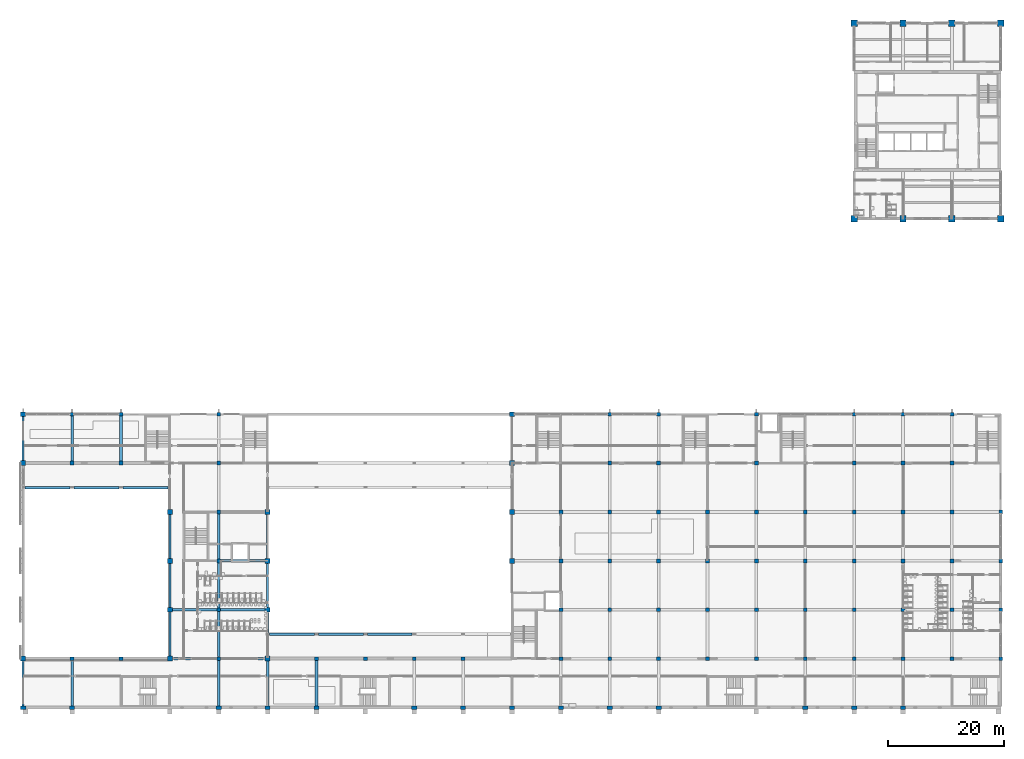
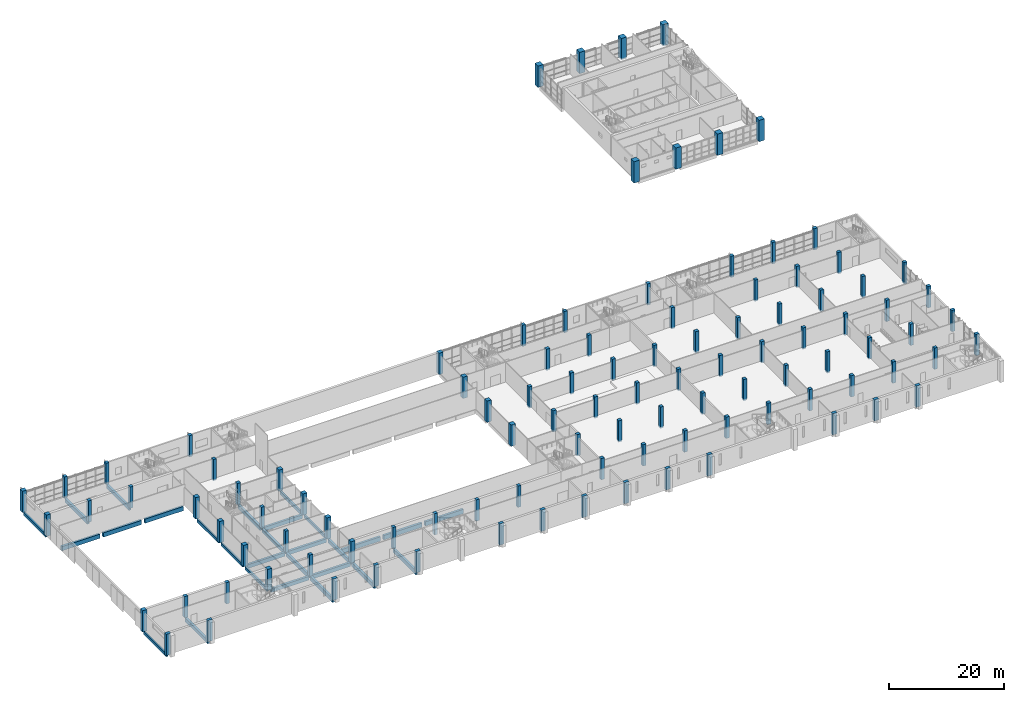
# One storey, part 1 of 64: 105 columns, 28 beams.
"""IFC4 building model written with IfcOpenShell, lengths in metres."""

from ifc_helpers import new_model, si_unit, direction, frame, origin, origin_2d, place, context, subcontext, project, spatial, rectangle, extrude, material, material_profile, profile_set, type_object, element, save


model = new_model("IFC4")

# Units and contexts
model_context = context("Model", 3, precision=1e-05, world=origin(), true_north=direction((0.0, 1.0)))
body_context = subcontext(model_context, "Body", "Model", "MODEL_VIEW")
ifc_project = project(units=[si_unit("LENGTHUNIT", "METRE"), si_unit("AREAUNIT", "SQUARE_METRE"), si_unit("VOLUMEUNIT", "CUBIC_METRE"), si_unit("PLANEANGLEUNIT", "RADIAN"), si_unit("MASSUNIT", "GRAM", prefix="KILO")], contexts=[model_context])

# Site, building, storey
site_placement = place(None, origin())
site = spatial("IfcSite", under=ifc_project, at=site_placement, CompositionType="ELEMENT")
building_placement = place(site_placement, origin())
building = spatial("IfcBuilding", under=site, at=building_placement, Name="Rulbaag Community and Learning Centre", CompositionType="ELEMENT")
storey_placement = place(building_placement, frame((0.0, 0.0, 5.39990234375)))
storey = spatial("IfcBuildingStorey", under=building, at=storey_placement, Name="L01", CompositionType="ELEMENT", Elevation=5.39990234375)

# Columns
ifc_material_1 = material(Name="Concrete M40", Category="concrete")
ifc_material_profile_1 = material_profile(ifc_material_1, rectangle(XDim=0.89990234375, YDim=0.60009765625, at=origin_2d()), Name="RC900x600")
ifc_profile_set_1 = profile_set([ifc_material_profile_1], Name="Concrete M40")
column_type_1 = type_object("IfcColumnType", Name="C1 Pilaster 900x600 Concrete M40", PredefinedType="PILASTER", material=ifc_profile_set_1)
for number, where, z_axis, x_axis, name in (
    (1, (0.0, 0.0, -0.2998046875), (0.0, 0.0, 1.0), (1.0, 0.0, 0.0), "COL-1A-L01"),
    (2, (8.39990234375, 0.0, -0.2998046875), (0.0, 0.0, 1.0), (1.0, 0.0, 0.0), "COL-2A-L01"),
    (3, (33.60009765625, 0.0, -0.2998046875), (0.0, 0.0, 1.0), (1.0, 0.0, 0.0), "COL-5A-L01"),
    (4, (42.0, 0.0, -0.2998046875), (0.0, 0.0, 1.0), (1.0, 0.0, 0.0), "COL-6A-L01"),
    (5, (50.39990234375, 0.0, -0.2998046875), (0.0, 0.0, 1.0), (1.0, 0.0, 0.0), "COL-7A-L01"),
    (6, (67.199951171875, 0.0, -0.2998046875), (0.0, 0.0, 1.0), (1.0, 0.0, 0.0), "COL-9A-L01"),
    (7, (75.60009765625, 0.0, -0.2998046875), (0.0, 0.0, 1.0), (1.0, 0.0, 0.0), "COL-10A-L01"),
    (8, (84.0, 0.0, -0.2998046875), (0.0, 0.0, 1.0), (1.0, 0.0, 0.0), "COL-11A-L01"),
    (9, (92.39990234375, 0.0, -0.2998046875), (0.0, 0.0, 1.0), (1.0, 0.0, 0.0), "COL-12A-L01"),
    (10, (100.800048828125, 0.0, -0.2998046875), (0.0, 0.0, 1.0), (1.0, 0.0, 0.0), "COL-13A-L01"),
    (11, (109.199951171875, 0.0, -0.2998046875), (0.0, 0.0, 1.0), (1.0, 0.0, 0.0), "COL-14A-L01"),
    (12, (134.39990234375, 0.0, -0.2998046875), (0.0, 0.0, 1.0), (1.0, 0.0, 0.0), "COL-17A-L01"),
    (13, (142.800048828125, 0.0, -0.2998046875), (0.0, 0.0, 1.0), (1.0, 0.0, 0.0), "COL-18A-L01"),
    (14, (151.199951171875, 0.0, -0.2998046875), (0.0, 0.0, 1.0), (1.0, 0.0, 0.0), "COL-19A-L01"),
):
    element("IfcColumn", number, at=place(storey_placement, frame(where, z_axis=z_axis, x_axis=x_axis)), inside=storey, type_object=column_type_1, Name=name, PredefinedType="PILASTER", context=body_context, shape_type="SweptSolid", body=[
        extrude(rectangle(XDim=0.89990234375, YDim=0.60009765625, at=origin_2d()), origin(), (0.0, 0.0, 1.0), 4.5498046875),
    ])
ifc_material_2 = material(Name="Concrete M60", Category="concrete")
ifc_material_profile_2 = material_profile(ifc_material_2, rectangle(XDim=0.85009765625, YDim=0.85009765625, at=origin_2d()), Name="RC850x850")
ifc_profile_set_2 = profile_set([ifc_material_profile_2], Name="Concrete M60")
column_type_2 = type_object("IfcColumnType", Name="C3 Column 850x850 Concrete M60", PredefinedType="COLUMN", material=ifc_profile_set_2)
for number, where, z_axis, x_axis, name in (
    (15, (0.0, 8.39990234375, -0.2998046875), (0.0, 0.0, 1.0), (1.0, 0.0, 0.0), "COL-1B-L01"),
    (16, (0.0, 42.0, -0.2998046875), (0.0, 0.0, 1.0), (1.0, 0.0, 0.0), "COL-1F-L01"),
    (17, (0.0, 50.39990234375, -0.2998046875), (0.0, 0.0, 1.0), (1.0, 0.0, 0.0), "COL-1G-L01"),
    (18, (25.199951171875, 8.39990234375, -0.2998046875), (0.0, 0.0, 1.0), (1.0, 0.0, 0.0), "COL-4B-L01"),
    (19, (25.199951171875, 16.800048828125, -0.2998046875), (0.0, 0.0, 1.0), (1.0, 0.0, 0.0), "COL-4C-L01"),
    (20, (25.199951171875, 25.199951171875, -0.2998046875), (0.0, 0.0, 1.0), (1.0, 0.0, 0.0), "COL-4D-L01"),
    (21, (25.199951171875, 33.60009765625, -0.2998046875), (0.0, 0.0, 1.0), (1.0, 0.0, 0.0), "COL-4E-L01"),
    (22, (42.0, 8.39990234375, -0.2998046875), (0.0, 0.0, 1.0), (1.0, 0.0, 0.0), "COL-6B-L01"),
    (23, (42.0, 16.800048828125, -0.2998046875), (0.0, 0.0, 1.0), (1.0, 0.0, 0.0), "COL-6C-L01"),
    (24, (42.0, 25.199951171875, -0.2998046875), (0.0, 0.0, 1.0), (1.0, 0.0, 0.0), "COL-6D-L01"),
    (25, (42.0, 33.60009765625, -0.2998046875), (0.0, 0.0, 1.0), (1.0, 0.0, 0.0), "COL-6E-L01"),
    (26, (84.0, 25.199951171875, -0.2998046875), (0.0, 0.0, 1.0), (1.0, 0.0, 0.0), "COL-11D-L01"),
    (27, (84.0, 33.60009765625, -0.2998046875), (0.0, 0.0, 1.0), (1.0, 0.0, 0.0), "COL-11E-L01"),
    (28, (84.0, 42.0, -0.2998046875), (0.0, 0.0, 1.0), (1.0, 0.0, 0.0), "COL-11F-L01"),
    (29, (84.0, 50.39990234375, -0.2998046875), (0.0, 0.0, 1.0), (1.0, 0.0, 0.0), "COL-11G-L01"),
):
    element("IfcColumn", number, at=place(storey_placement, frame(where, z_axis=z_axis, x_axis=x_axis)), inside=storey, type_object=column_type_2, Name=name, PredefinedType="COLUMN", context=body_context, shape_type="SweptSolid", body=[
        extrude(rectangle(XDim=0.85009765625, YDim=0.85009765625, at=origin_2d()), origin(), (0.0, 0.0, 1.0), 4.5498046875),
    ])
ifc_material_profile_3 = material_profile(ifc_material_1, rectangle(XDim=0.64990234375, YDim=0.64990234375, at=origin_2d()), Name="RC650x650")
ifc_profile_set_3 = profile_set([ifc_material_profile_3], Name="Concrete M40")
column_type_3 = type_object("IfcColumnType", Name="C6 Column 650x650 Concrete M40", PredefinedType="COLUMN", material=ifc_profile_set_3)
for number, where, z_axis, x_axis, name in (
    (30, (8.39990234375, 8.39990234375, -0.2998046875), (0.0, 0.0, 1.0), (1.0, 0.0, 0.0), "COL-2B-L01"),
    (31, (8.39990234375, 42.0, -0.2998046875), (0.0, 0.0, 1.0), (1.0, 0.0, 0.0), "COL-2F-L01"),
    (32, (8.39990234375, 50.39990234375, -0.2998046875), (0.0, 0.0, 1.0), (1.0, 0.0, 0.0), "COL-2G-L01"),
    (33, (16.800048828125, 8.39990234375, -0.2998046875), (0.0, 0.0, 1.0), (1.0, 0.0, 0.0), "COL-3B-L01"),
    (34, (16.800048828125, 42.0, -0.2998046875), (0.0, 0.0, 1.0), (1.0, 0.0, 0.0), "COL-3F-L01"),
    (35, (16.800048828125, 50.39990234375, -0.2998046875), (0.0, 0.0, 1.0), (1.0, 0.0, 0.0), "COL-3G-L01"),
    (36, (33.60009765625, 8.39990234375, -0.2998046875), (0.0, 0.0, 1.0), (1.0, 0.0, 0.0), "COL-5B-L01"),
    (37, (33.60009765625, 16.800048828125, -0.2998046875), (0.0, 0.0, 1.0), (1.0, 0.0, 0.0), "COL-5C-L01"),
    (38, (33.60009765625, 25.199951171875, -0.2998046875), (0.0, 0.0, 1.0), (1.0, 0.0, 0.0), "COL-5D-L01"),
    (39, (33.60009765625, 33.60009765625, -0.2998046875), (0.0, 0.0, 1.0), (1.0, 0.0, 0.0), "COL-5E-L01"),
    (40, (33.60009765625, 42.0, -0.2998046875), (0.0, 0.0, 1.0), (1.0, 0.0, 0.0), "COL-5F-L01"),
    (41, (33.60009765625, 50.39990234375, -0.2998046875), (0.0, 0.0, 1.0), (1.0, 0.0, 0.0), "COL-5G-L01"),
    (42, (50.39990234375, 8.39990234375, -0.2998046875), (0.0, 0.0, 1.0), (1.0, 0.0, 0.0), "COL-7B-L01"),
    (43, (58.800048828125, 8.39990234375, -0.2998046875), (0.0, 0.0, 1.0), (1.0, 0.0, 0.0), "COL-8B-L01"),
    (44, (67.199951171875, 8.39990234375, -0.2998046875), (0.0, 0.0, 1.0), (1.0, 0.0, 0.0), "COL-9B-L01"),
    (45, (75.60009765625, 8.39990234375, -0.2998046875), (0.0, 0.0, 1.0), (1.0, 0.0, 0.0), "COL-10B-L01"),
    (46, (92.39990234375, 8.39990234375, -0.2998046875), (0.0, 0.0, 1.0), (1.0, 0.0, 0.0), "COL-12B-L01"),
    (47, (92.39990234375, 16.800048828125, -0.2998046875), (0.0, 0.0, 1.0), (1.0, 0.0, 0.0), "COL-12C-L01"),
    (48, (92.39990234375, 25.199951171875, -0.2998046875), (0.0, 0.0, 1.0), (1.0, 0.0, 0.0), "COL-12D-L01"),
    (49, (92.39990234375, 33.60009765625, -0.2998046875), (0.0, 0.0, 1.0), (1.0, 0.0, 0.0), "COL-12E-L01"),
    (50, (100.800048828125, 8.39990234375, -0.2998046875), (0.0, 0.0, 1.0), (1.0, 0.0, 0.0), "COL-13B-L01"),
    (51, (100.800048828125, 16.800048828125, -0.2998046875), (0.0, 0.0, 1.0), (1.0, 0.0, 0.0), "COL-13C-L01"),
    (52, (100.800048828125, 25.199951171875, -0.2998046875), (0.0, 0.0, 1.0), (1.0, 0.0, 0.0), "COL-13D-L01"),
    (53, (100.800048828125, 33.60009765625, -0.2998046875), (0.0, 0.0, 1.0), (1.0, 0.0, 0.0), "COL-13E-L01"),
    (54, (100.800048828125, 42.0, -0.2998046875), (0.0, 0.0, 1.0), (1.0, 0.0, 0.0), "COL-13F-L01"),
    (55, (100.800048828125, 50.39990234375, -0.2998046875), (0.0, 0.0, 1.0), (1.0, 0.0, 0.0), "COL-13G-L01"),
    (56, (109.199951171875, 8.39990234375, -0.2998046875), (0.0, 0.0, 1.0), (1.0, 0.0, 0.0), "COL-14B-L01"),
    (57, (109.199951171875, 16.800048828125, -0.2998046875), (0.0, 0.0, 1.0), (1.0, 0.0, 0.0), "COL-14C-L01"),
    (58, (109.199951171875, 25.199951171875, -0.2998046875), (0.0, 0.0, 1.0), (1.0, 0.0, 0.0), "COL-14D-L01"),
    (59, (109.199951171875, 33.60009765625, -0.2998046875), (0.0, 0.0, 1.0), (1.0, 0.0, 0.0), "COL-14E-L01"),
    (60, (109.199951171875, 42.0, -0.2998046875), (0.0, 0.0, 1.0), (1.0, 0.0, 0.0), "COL-14F-L01"),
    (61, (109.199951171875, 50.39990234375, -0.2998046875), (0.0, 0.0, 1.0), (1.0, 0.0, 0.0), "COL-14G-L01"),
    (62, (117.60009765625, 8.39990234375, -0.2998046875), (0.0, 0.0, 1.0), (1.0, 0.0, 0.0), "COL-15B-L01"),
    (63, (117.60009765625, 16.800048828125, -0.2998046875), (0.0, 0.0, 1.0), (1.0, 0.0, 0.0), "COL-15C-L01"),
    (64, (117.60009765625, 25.199951171875, -0.2998046875), (0.0, 0.0, 1.0), (1.0, 0.0, 0.0), "COL-15D-L01"),
    (65, (117.60009765625, 33.60009765625, -0.2998046875), (0.0, 0.0, 1.0), (1.0, 0.0, 0.0), "COL-15E-L01"),
    (66, (126.0, 8.39990234375, -0.2998046875), (0.0, 0.0, 1.0), (1.0, 0.0, 0.0), "COL-16B-L01"),
    (67, (126.0, 16.800048828125, -0.2998046875), (0.0, 0.0, 1.0), (1.0, 0.0, 0.0), "COL-16C-L01"),
    (68, (126.0, 25.199951171875, -0.2998046875), (0.0, 0.0, 1.0), (1.0, 0.0, 0.0), "COL-16D-L01"),
    (69, (126.0, 33.60009765625, -0.2998046875), (0.0, 0.0, 1.0), (1.0, 0.0, 0.0), "COL-16E-L01"),
    (70, (126.0, 42.0, -0.2998046875), (0.0, 0.0, 1.0), (1.0, 0.0, 0.0), "COL-16F-L01"),
    (71, (126.0, 50.39990234375, -0.2998046875), (0.0, 0.0, 1.0), (1.0, 0.0, 0.0), "COL-16G-L01"),
    (72, (134.39990234375, 8.39990234375, -0.2998046875), (0.0, 0.0, 1.0), (1.0, 0.0, 0.0), "COL-17B-L01"),
    (73, (134.39990234375, 16.800048828125, -0.2998046875), (0.0, 0.0, 1.0), (1.0, 0.0, 0.0), "COL-17C-L01"),
    (74, (134.39990234375, 25.199951171875, -0.2998046875), (0.0, 0.0, 1.0), (1.0, 0.0, 0.0), "COL-17D-L01"),
    (75, (134.39990234375, 33.60009765625, -0.2998046875), (0.0, 0.0, 1.0), (1.0, 0.0, 0.0), "COL-17E-L01"),
    (76, (142.800048828125, 8.39990234375, -0.2998046875), (0.0, 0.0, 1.0), (1.0, 0.0, 0.0), "COL-18B-L01"),
    (77, (142.800048828125, 16.800048828125, -0.2998046875), (0.0, 0.0, 1.0), (1.0, 0.0, 0.0), "COL-18C-L01"),
    (78, (142.800048828125, 25.199951171875, -0.2998046875), (0.0, 0.0, 1.0), (1.0, 0.0, 0.0), "COL-18D-L01"),
    (79, (142.800048828125, 33.60009765625, -0.2998046875), (0.0, 0.0, 1.0), (1.0, 0.0, 0.0), "COL-18E-L01"),
    (80, (142.800048828125, 42.0, -0.2998046875), (0.0, 0.0, 1.0), (1.0, 0.0, 0.0), "COL-18F-L01"),
    (81, (142.800048828125, 50.39990234375, -0.2998046875), (0.0, 0.0, 1.0), (1.0, 0.0, 0.0), "COL-18G-L01"),
    (82, (151.199951171875, 8.39990234375, -0.2998046875), (0.0, 0.0, 1.0), (1.0, 0.0, 0.0), "COL-19B-L01"),
    (83, (151.199951171875, 16.800048828125, -0.2998046875), (0.0, 0.0, 1.0), (1.0, 0.0, 0.0), "COL-19C-L01"),
    (84, (151.199951171875, 25.199951171875, -0.2998046875), (0.0, 0.0, 1.0), (1.0, 0.0, 0.0), "COL-19D-L01"),
    (85, (151.199951171875, 33.60009765625, -0.2998046875), (0.0, 0.0, 1.0), (1.0, 0.0, 0.0), "COL-19E-L01"),
    (86, (151.199951171875, 42.0, -0.2998046875), (0.0, 0.0, 1.0), (1.0, 0.0, 0.0), "COL-19F-L01"),
    (87, (151.199951171875, 50.39990234375, -0.2998046875), (0.0, 0.0, 1.0), (1.0, 0.0, 0.0), "COL-19G-L01"),
    (88, (159.60009765625, 8.39990234375, -0.2998046875), (0.0, 0.0, 1.0), (1.0, 0.0, 0.0), "COL-20B-L01"),
    (89, (159.60009765625, 16.800048828125, -0.2998046875), (0.0, 0.0, 1.0), (1.0, 0.0, 0.0), "COL-20C-L01"),
    (90, (159.60009765625, 25.199951171875, -0.2998046875), (0.0, 0.0, 1.0), (1.0, 0.0, 0.0), "COL-20D-L01"),
    (91, (159.60009765625, 33.60009765625, -0.2998046875), (0.0, 0.0, 1.0), (1.0, 0.0, 0.0), "COL-20E-L01"),
    (92, (159.60009765625, 42.0, -0.2998046875), (0.0, 0.0, 1.0), (1.0, 0.0, 0.0), "COL-20F-L01"),
    (93, (159.60009765625, 50.39990234375, -0.2998046875), (0.0, 0.0, 1.0), (1.0, 0.0, 0.0), "COL-20G-L01"),
    (94, (168.0, 8.39990234375, -0.2998046875), (0.0, 0.0, 1.0), (1.0, 0.0, 0.0), "COL-21B-L01"),
    (95, (168.0, 16.800048828125, -0.2998046875), (0.0, 0.0, 1.0), (1.0, 0.0, 0.0), "COL-21C-L01"),
    (96, (168.0, 25.199951171875, -0.2998046875), (0.0, 0.0, 1.0), (1.0, 0.0, 0.0), "COL-21D-L01"),
    (97, (168.0, 33.60009765625, -0.2998046875), (0.0, 0.0, 1.0), (1.0, 0.0, 0.0), "COL-21E-L01"),
):
    element("IfcColumn", number, at=place(storey_placement, frame(where, z_axis=z_axis, x_axis=x_axis)), inside=storey, type_object=column_type_3, Name=name, PredefinedType="COLUMN", context=body_context, shape_type="SweptSolid", body=[
        extrude(rectangle(XDim=0.64990234375, YDim=0.64990234375, at=origin_2d()), origin(), (0.0, 0.0, 1.0), 4.5498046875),
    ])
ifc_material_profile_4 = material_profile(ifc_material_2, rectangle(XDim=1.10009765625, YDim=1.10009765625, at=origin_2d()), Name="RC1100x1100")
ifc_profile_set_4 = profile_set([ifc_material_profile_4], Name="Concrete M60")
column_type_4 = type_object("IfcColumnType", Name="C9 Column 1100x1100 Concrete M60", PredefinedType="COLUMN", material=ifc_profile_set_4)
for number, where, z_axis, x_axis, name in (
    (98, (142.800048828125, 84.0, -0.2998046875), (0.0, 0.0, 1.0), (1.0, 0.0, 0.0), "COL-18K-L01"),
    (99, (142.800048828125, 117.60009765625, -0.2998046875), (0.0, 0.0, 1.0), (1.0, 0.0, 0.0), "COL-18O-L01"),
    (100, (151.199951171875, 84.0, -0.2998046875), (0.0, 0.0, 1.0), (1.0, 0.0, 0.0), "COL-19K-L01"),
    (101, (151.199951171875, 117.60009765625, -0.2998046875), (0.0, 0.0, 1.0), (1.0, 0.0, 0.0), "COL-19O-L01"),
    (102, (159.60009765625, 84.0, -0.2998046875), (0.0, 0.0, 1.0), (1.0, 0.0, 0.0), "COL-20K-L01"),
    (103, (159.60009765625, 117.60009765625, -0.2998046875), (0.0, 0.0, 1.0), (1.0, 0.0, 0.0), "COL-20O-L01"),
    (104, (168.0, 84.0, -0.2998046875), (0.0, 0.0, 1.0), (1.0, 0.0, 0.0), "COL-21K-L01"),
    (105, (168.0, 117.60009765625, -0.2998046875), (0.0, 0.0, 1.0), (1.0, 0.0, 0.0), "COL-21O-L01"),
):
    element("IfcColumn", number, at=place(storey_placement, frame(where, z_axis=z_axis, x_axis=x_axis)), inside=storey, type_object=column_type_4, Name=name, PredefinedType="COLUMN", context=body_context, shape_type="SweptSolid", body=[
        extrude(rectangle(XDim=1.10009765625, YDim=1.10009765625, at=origin_2d()), origin(), (0.0, 0.0, 1.0), 4.5498046875),
    ])

# Beams
ifc_material_profile_5 = material_profile(ifc_material_1, rectangle(XDim=0.449951171875, YDim=0.89990234375, at=origin_2d()), Name="RB450x900")
ifc_profile_set_5 = profile_set([ifc_material_profile_5], Name="Concrete M40")
beam_type_1 = type_object("IfcBeamType", Name="B11 Gallery edge beam 450x900 Concrete M40", PredefinedType="BEAM", material=ifc_profile_set_5)
for number, where, z_axis, x_axis, name in (
    (106, (42.35009765625, 12.60009765625, -0.75), (1.0, 0.0, 0.0), (0.0, 1.0, 0.0), "BM-GAL-12-42"),
    (107, (50.75, 12.60009765625, -0.75), (1.0, 0.0, 0.0), (0.0, 1.0, 0.0), "BM-GAL-12-50"),
):
    element("IfcBeam", number, at=place(storey_placement, frame(where, z_axis=z_axis, x_axis=x_axis)), inside=storey, type_object=beam_type_1, Name=name, PredefinedType="BEAM", context=body_context, shape_type="SweptSolid", body=[
        extrude(rectangle(XDim=0.449951171875, YDim=0.89990234375, at=origin_2d()), origin(), (0.0, 0.0, 1.0), 7.699951171875),
    ])
beam_1_placement = place(storey_placement, frame((59.14990234375, 12.60009765625, -0.75), z_axis=(1.0, 0.0, 0.0), x_axis=(0.0, 1.0, 0.0)))
element("IfcBeam", 108, at=beam_1_placement, inside=storey, type_object=beam_type_1, Name="BM-GAL-12-58", PredefinedType="BEAM", context=body_context, shape_type="SweptSolid", body=[
    extrude(rectangle(XDim=0.449951171875, YDim=0.89990234375, at=origin_2d()), origin(), (0.0, 0.0, 1.0), 7.7001953125),
])
for number, where, z_axis, x_axis, name in (
    (109, (0.35009765625, 37.800048828125, -0.75), (1.0, 0.0, 0.0), (0.0, 1.0, 0.0), "BM-GAL-37-0"),
    (110, (8.75, 37.800048828125, -0.75), (1.0, 0.0, 0.0), (0.0, 1.0, 0.0), "BM-GAL-37-8"),
):
    element("IfcBeam", number, at=place(storey_placement, frame(where, z_axis=z_axis, x_axis=x_axis)), inside=storey, type_object=beam_type_1, Name=name, PredefinedType="BEAM", context=body_context, shape_type="SweptSolid", body=[
        extrude(rectangle(XDim=0.449951171875, YDim=0.89990234375, at=origin_2d()), origin(), (0.0, 0.0, 1.0), 7.699951171875),
    ])
beam_2_placement = place(storey_placement, frame((17.14990234375, 37.800048828125, -0.75), z_axis=(1.0, 0.0, 0.0), x_axis=(0.0, 1.0, 0.0)))
element("IfcBeam", 111, at=beam_2_placement, inside=storey, type_object=beam_type_1, Name="BM-GAL-37-16", PredefinedType="BEAM", context=body_context, shape_type="SweptSolid", body=[
    extrude(rectangle(XDim=0.449951171875, YDim=0.89990234375, at=origin_2d()), origin(), (0.0, 0.0, 1.0), 7.7001953125),
])
ifc_material_profile_6 = material_profile(ifc_material_1, rectangle(XDim=0.449951171875, YDim=0.800048828125, at=origin_2d()), Name="RB450x800")
ifc_profile_set_6 = profile_set([ifc_material_profile_6], Name="Concrete M40")
beam_type_2 = type_object("IfcBeamType", Name="B21 Library floor beam 450x800 Concrete M40", PredefinedType="BEAM", material=ifc_profile_set_6)
beam_3_placement = place(storey_placement, frame((8.39990234375, 0.22509765625, -0.699951171875), z_axis=(0.0, 1.0, 0.0), x_axis=(-1.0, 0.0, 0.0)))
element("IfcBeam", 112, at=beam_3_placement, inside=storey, type_object=beam_type_2, Name="BM-L01-2A-2B", PredefinedType="BEAM", context=body_context, shape_type="SweptSolid", body=[
    extrude(rectangle(XDim=0.449951171875, YDim=0.800048828125, at=origin_2d()), origin(), (0.0, 0.0, 1.0), 7.9248046875),
])
for number, where, z_axis, x_axis, name in (
    (113, (8.39990234375, 42.25, -0.699951171875), (0.0, 1.0, 0.0), (-1.0, 0.0, 0.0), "BM-L01-2F-2G"),
    (114, (16.800048828125, 42.25, -0.699951171875), (0.0, 1.0, 0.0), (-1.0, 0.0, 0.0), "BM-L01-3F-3G"),
):
    element("IfcBeam", number, at=place(storey_placement, frame(where, z_axis=z_axis, x_axis=x_axis)), inside=storey, type_object=beam_type_2, Name=name, PredefinedType="BEAM", context=body_context, shape_type="SweptSolid", body=[
        extrude(rectangle(XDim=0.449951171875, YDim=0.800048828125, at=origin_2d()), origin(), (0.0, 0.0, 1.0), 7.820068359375),
    ])
for number, where, z_axis, x_axis, name in (
    (115, (25.6298828125, 8.39990234375, -0.699951171875), (1.0, 0.0, 0.0), (0.0, 1.0, 0.0), "BM-L01-4B-5B"),
    (116, (25.6298828125, 16.800048828125, -0.699951171875), (1.0, 0.0, 0.0), (0.0, 1.0, 0.0), "BM-L01-4C-5C"),
):
    element("IfcBeam", number, at=place(storey_placement, frame(where, z_axis=z_axis, x_axis=x_axis)), inside=storey, type_object=beam_type_2, Name=name, PredefinedType="BEAM", context=body_context, shape_type="SweptSolid", body=[
        extrude(rectangle(XDim=0.449951171875, YDim=0.800048828125, at=origin_2d()), origin(), (0.0, 0.0, 1.0), 7.64013671875),
    ])
beam_4_placement = place(storey_placement, frame((33.60009765625, 0.22509765625, -0.699951171875), z_axis=(0.0, 1.0, 0.0), x_axis=(-1.0, 0.0, 0.0)))
element("IfcBeam", 117, at=beam_4_placement, inside=storey, type_object=beam_type_2, Name="BM-L01-5A-5B", PredefinedType="BEAM", context=body_context, shape_type="SweptSolid", body=[
    extrude(rectangle(XDim=0.449951171875, YDim=0.800048828125, at=origin_2d()), origin(), (0.0, 0.0, 1.0), 7.844970703125),
])
beam_5_placement = place(storey_placement, frame((33.929931640625, 8.39990234375, -0.699951171875), z_axis=(1.0, 0.0, 0.0), x_axis=(0.0, 1.0, 0.0)))
element("IfcBeam", 118, at=beam_5_placement, inside=storey, type_object=beam_type_2, Name="BM-L01-5B-6B", PredefinedType="BEAM", context=body_context, shape_type="SweptSolid", body=[
    extrude(rectangle(XDim=0.449951171875, YDim=0.800048828125, at=origin_2d()), origin(), (0.0, 0.0, 1.0), 7.64013671875),
])
beam_6_placement = place(storey_placement, frame((33.60009765625, 8.72998046875, -0.699951171875), z_axis=(0.0, 1.0, 0.0), x_axis=(-1.0, 0.0, 0.0)))
element("IfcBeam", 119, at=beam_6_placement, inside=storey, type_object=beam_type_2, Name="BM-L01-5B-5C", PredefinedType="BEAM", context=body_context, shape_type="SweptSolid", body=[
    extrude(rectangle(XDim=0.449951171875, YDim=0.800048828125, at=origin_2d()), origin(), (0.0, 0.0, 1.0), 7.739990234375),
])
beam_7_placement = place(storey_placement, frame((33.929931640625, 16.800048828125, -0.699951171875), z_axis=(1.0, 0.0, 0.0), x_axis=(0.0, 1.0, 0.0)))
element("IfcBeam", 120, at=beam_7_placement, inside=storey, type_object=beam_type_2, Name="BM-L01-5C-6C", PredefinedType="BEAM", context=body_context, shape_type="SweptSolid", body=[
    extrude(rectangle(XDim=0.449951171875, YDim=0.800048828125, at=origin_2d()), origin(), (0.0, 0.0, 1.0), 7.64013671875),
])
beam_8_placement = place(storey_placement, frame((33.60009765625, 17.1298828125, -0.699951171875), z_axis=(0.0, 1.0, 0.0), x_axis=(-1.0, 0.0, 0.0)))
element("IfcBeam", 121, at=beam_8_placement, inside=storey, type_object=beam_type_2, Name="BM-L01-5C-5D", PredefinedType="BEAM", context=body_context, shape_type="SweptSolid", body=[
    extrude(rectangle(XDim=0.449951171875, YDim=0.800048828125, at=origin_2d()), origin(), (0.0, 0.0, 1.0), 7.740234375),
])
beam_9_placement = place(storey_placement, frame((33.929931640625, 25.199951171875, -0.699951171875), z_axis=(1.0, 0.0, 0.0), x_axis=(0.0, 1.0, 0.0)))
element("IfcBeam", 122, at=beam_9_placement, inside=storey, type_object=beam_type_2, Name="BM-L01-5D-6D", PredefinedType="BEAM", context=body_context, shape_type="SweptSolid", body=[
    extrude(rectangle(XDim=0.449951171875, YDim=0.800048828125, at=origin_2d()), origin(), (0.0, 0.0, 1.0), 7.64013671875),
])
beam_10_placement = place(storey_placement, frame((33.60009765625, 25.530029296875, -0.699951171875), z_axis=(0.0, 1.0, 0.0), x_axis=(-1.0, 0.0, 0.0)))
element("IfcBeam", 123, at=beam_10_placement, inside=storey, type_object=beam_type_2, Name="BM-L01-5D-5E", PredefinedType="BEAM", context=body_context, shape_type="SweptSolid", body=[
    extrude(rectangle(XDim=0.449951171875, YDim=0.800048828125, at=origin_2d()), origin(), (0.0, 0.0, 1.0), 7.739990234375),
])
beam_11_placement = place(storey_placement, frame((42.0, 0.22509765625, -0.699951171875), z_axis=(0.0, 1.0, 0.0), x_axis=(-1.0, 0.0, 0.0)))
element("IfcBeam", 124, at=beam_11_placement, inside=storey, type_object=beam_type_2, Name="BM-L01-6A-6B", PredefinedType="BEAM", context=body_context, shape_type="SweptSolid", body=[
    extrude(rectangle(XDim=0.449951171875, YDim=0.800048828125, at=origin_2d()), origin(), (0.0, 0.0, 1.0), 7.9248046875),
])
beam_12_placement = place(storey_placement, frame((42.0, 8.64990234375, -0.699951171875), z_axis=(0.0, 1.0, 0.0), x_axis=(-1.0, 0.0, 0.0)))
element("IfcBeam", 125, at=beam_12_placement, inside=storey, type_object=beam_type_2, Name="BM-L01-6B-6C", PredefinedType="BEAM", context=body_context, shape_type="SweptSolid", body=[
    extrude(rectangle(XDim=0.449951171875, YDim=0.800048828125, at=origin_2d()), origin(), (0.0, 0.0, 1.0), 7.72021484375),
])
beam_13_placement = place(storey_placement, frame((50.39990234375, 0.22509765625, -0.699951171875), z_axis=(0.0, 1.0, 0.0), x_axis=(-1.0, 0.0, 0.0)))
element("IfcBeam", 126, at=beam_13_placement, inside=storey, type_object=beam_type_2, Name="BM-L01-7A-7B", PredefinedType="BEAM", context=body_context, shape_type="SweptSolid", body=[
    extrude(rectangle(XDim=0.449951171875, YDim=0.800048828125, at=origin_2d()), origin(), (0.0, 0.0, 1.0), 7.9248046875),
])
ifc_material_profile_7 = material_profile(ifc_material_1, rectangle(XDim=0.35009765625, YDim=0.64990234375, at=origin_2d()), Name="RB350x650")
ifc_profile_set_7 = profile_set([ifc_material_profile_7], Name="Concrete M40")
beam_type_3 = type_object("IfcBeamType", Name="B8 Hall wing edge beam 350x650 Concrete M40", PredefinedType="BEAM", material=ifc_profile_set_7)
beam_14_placement = place(storey_placement, frame((0.0, 0.22509765625, -0.625), z_axis=(0.0, 1.0, 0.0), x_axis=(-1.0, 0.0, 0.0)))
element("IfcBeam", 127, at=beam_14_placement, inside=storey, type_object=beam_type_3, Name="BM-L01-1A-1B", PredefinedType="BEAM", context=body_context, shape_type="SweptSolid", body=[
    extrude(rectangle(XDim=0.35009765625, YDim=0.64990234375, at=origin_2d()), origin(), (0.0, 0.0, 1.0), 7.9248046875),
])
beam_15_placement = place(storey_placement, frame((0.0, 42.25, -0.625), z_axis=(0.0, 1.0, 0.0), x_axis=(-1.0, 0.0, 0.0)))
element("IfcBeam", 128, at=beam_15_placement, inside=storey, type_object=beam_type_3, Name="BM-L01-1F-1G", PredefinedType="BEAM", context=body_context, shape_type="SweptSolid", body=[
    extrude(rectangle(XDim=0.35009765625, YDim=0.64990234375, at=origin_2d()), origin(), (0.0, 0.0, 1.0), 7.719970703125),
])
beam_16_placement = place(storey_placement, frame((25.199951171875, 8.64990234375, -0.625), z_axis=(0.0, 1.0, 0.0), x_axis=(-1.0, 0.0, 0.0)))
element("IfcBeam", 129, at=beam_16_placement, inside=storey, type_object=beam_type_3, Name="BM-L01-4B-4C", PredefinedType="BEAM", context=body_context, shape_type="SweptSolid", body=[
    extrude(rectangle(XDim=0.35009765625, YDim=0.64990234375, at=origin_2d()), origin(), (0.0, 0.0, 1.0), 7.72021484375),
])
for number, where, z_axis, x_axis, name in (
    (130, (25.199951171875, 17.22998046875, -0.625), (0.0, 1.0, 0.0), (-1.0, 0.0, 0.0), "BM-L01-4C-4D"),
    (131, (25.199951171875, 25.6298828125, -0.625), (0.0, 1.0, 0.0), (-1.0, 0.0, 0.0), "BM-L01-4D-4E"),
    (132, (42.0, 17.22998046875, -0.625), (0.0, 1.0, 0.0), (-1.0, 0.0, 0.0), "BM-L01-6C-6D"),
    (133, (42.0, 25.6298828125, -0.625), (0.0, 1.0, 0.0), (-1.0, 0.0, 0.0), "BM-L01-6D-6E"),
):
    element("IfcBeam", number, at=place(storey_placement, frame(where, z_axis=z_axis, x_axis=x_axis)), inside=storey, type_object=beam_type_3, Name=name, PredefinedType="BEAM", context=body_context, shape_type="SweptSolid", body=[
        extrude(rectangle(XDim=0.35009765625, YDim=0.64990234375, at=origin_2d()), origin(), (0.0, 0.0, 1.0), 7.5400390625),
    ])

save(model, "model.ifc")
